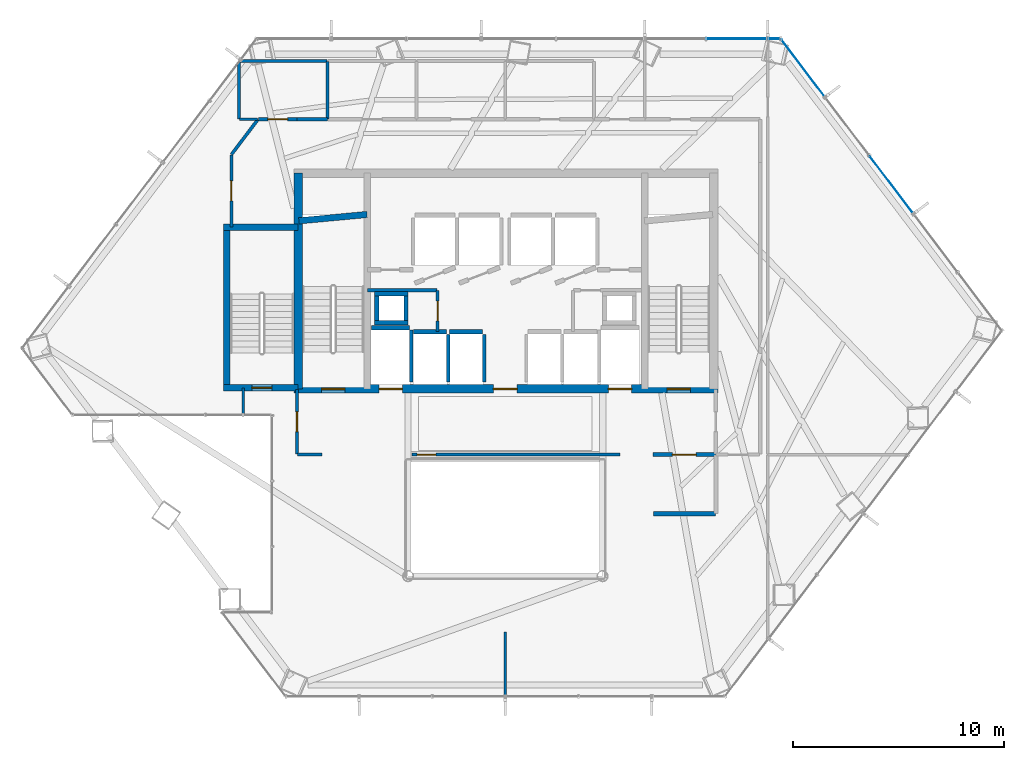
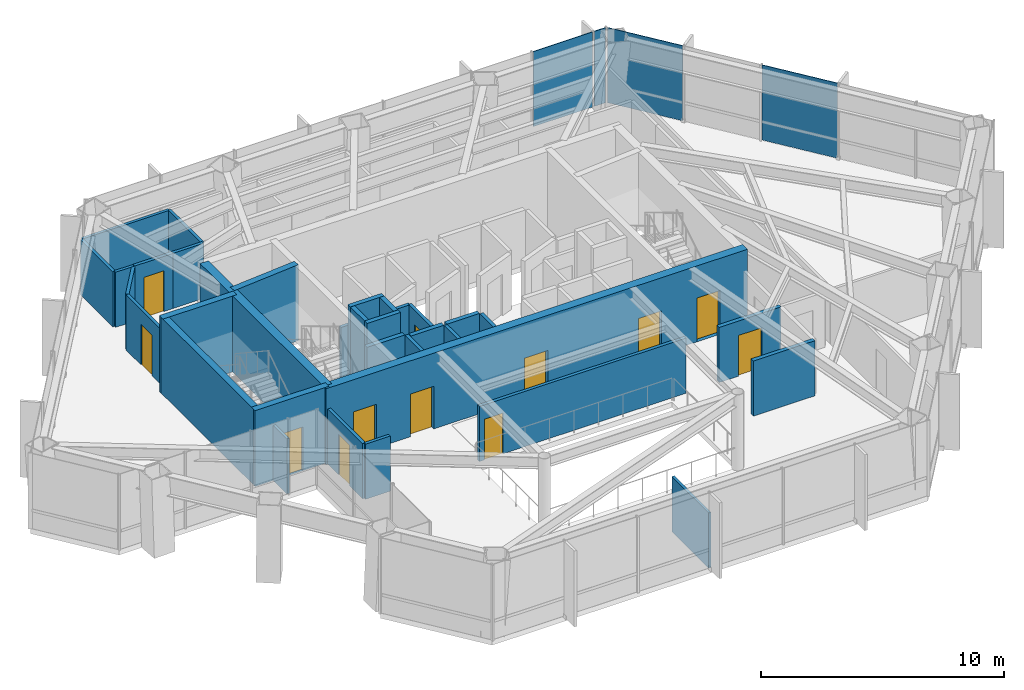
# One storey, part 21 of 24: 33 walls, 12 doors, 4 plates, 12 openings, 2 elements without a shape of their own.
"""IFC4 building model written with IfcOpenShell, lengths in metres."""

from ifc_helpers import new_model, si_unit, direction, frame, frame_2d, origin, origin_2d, place, context, subcontext, project, spatial, rectangle, extrude, material, layer, layer_set, type_object, element, fill, aggregate, save


model = new_model("IFC4")

# Units and contexts
model_context = context("Model", 3, precision=1e-05, world=origin(), true_north=direction((0.0, 1.0)))
body_context = subcontext(model_context, "Body", "Model", "MODEL_VIEW")
ifc_project = project(units=[si_unit("LENGTHUNIT", "METRE"), si_unit("AREAUNIT", "SQUARE_METRE"), si_unit("VOLUMEUNIT", "CUBIC_METRE"), si_unit("PLANEANGLEUNIT", "RADIAN"), si_unit("MASSUNIT", "GRAM", prefix="KILO")], contexts=[model_context])

# Site, building, storey
site_placement = place(None, origin())
site = spatial("IfcSite", under=ifc_project, at=site_placement, CompositionType="ELEMENT")
building_placement = place(site_placement, origin())
building = spatial("IfcBuilding", under=site, at=building_placement, Name="Zarrinselat Tower", CompositionType="ELEMENT")
storey_placement = place(building_placement, frame((0.0, 0.0, 68.340087890625)))
storey = spatial("IfcBuildingStorey", under=building, at=storey_placement, Name="L16", CompositionType="ELEMENT", Elevation=68.340087890625)

# Curtain wall, plates
ifc_material_1 = material(Name="Extruded Aluminium Alloy EN AW-6063 T6", Category="aluminium")
ifc_layer_1 = layer(ifc_material_1, 0.18505859375)
ifc_layer_set_1 = layer_set([ifc_layer_1], Name="Extruded Aluminium Alloy EN AW-6063 T6")
curtain_wall_type = type_object("IfcCurtainWallType", Name="CWS-OFF", PredefinedType="NOTDEFINED", material=ifc_layer_set_1)
curtain_wall_1_placement = place(storey_placement, origin())
curtain_wall_1 = element("IfcCurtainWall", 1, at=curtain_wall_1_placement, inside=storey, type_object=curtain_wall_type, Name="L16 Unitised Curtain Wall CW-L16-E02", PredefinedType="NOTDEFINED")
ifc_material_2 = material(Name="Double Low-E Laminated Solar Glass", Category="glass")
ifc_layer_2 = layer(ifc_material_2, 0.031982421875)
ifc_layer_set_2 = layer_set([ifc_layer_2], Name="Double Low-E Laminated Solar Glass")
plate_type = type_object("IfcPlateType", Name="PLT-CW-GL32", PredefinedType="CURTAIN_PANEL", material=ifc_layer_set_2)
plate_1_placement = place(storey_placement, frame((49.34228515625, 49.81103515625, 0.02001953125), z_axis=(0.0, 0.0, 1.0), x_axis=(1.0, 0.0, 0.0)))
plate_1 = element("IfcPlate", 2, at=plate_1_placement, type_object=plate_type, Name="CW-L16-E02 Vision Glass Panel 7", PredefinedType="CURTAIN_PANEL", context=body_context, shape_type="SweptSolid", body=[
    extrude(rectangle(XDim=2.8154296875, YDim=0.031982421875, at=origin_2d()), origin(), (0.0, 0.0, 1.0), 3.780029296875),
])
plate_2_placement = place(storey_placement, frame((51.11279296875, 49.81103515625, 0.02001953125), z_axis=(0.0, 0.0, 1.0), x_axis=(1.0, 0.0, 0.0)))
plate_2 = element("IfcPlate", 3, at=plate_2_placement, type_object=plate_type, Name="CW-L16-E02 Vision Glass Panel 8", PredefinedType="CURTAIN_PANEL", context=body_context, shape_type="SweptSolid", body=[
    extrude(rectangle(XDim=0.52587890625, YDim=0.031982421875, at=origin_2d()), origin(), (0.0, 0.0, 1.0), 3.780029296875),
])
aggregate(curtain_wall_1, [plate_1, plate_2])

curtain_wall_2_placement = place(storey_placement, origin())
curtain_wall_2 = element("IfcCurtainWall", 4, at=curtain_wall_2_placement, inside=storey, type_object=curtain_wall_type, Name="L16 Unitised Curtain Wall CW-L16-E03", PredefinedType="NOTDEFINED")
plate_3_placement = place(storey_placement, frame((52.4716796875, 48.430908203125, 0.02001953125), z_axis=(0.0, 0.0, 1.0), x_axis=(0.603859800485, -0.797090547779, 0.0)))
plate_3 = element("IfcPlate", 5, at=plate_3_placement, type_object=plate_type, Name="CW-L16-E03 Vision Glass Panel 1", PredefinedType="CURTAIN_PANEL", context=body_context, shape_type="SweptSolid", body=[
    extrude(rectangle(XDim=3.36328125, YDim=0.031982421875, at=origin_2d()), origin(), (0.0, 0.0, 1.0), 3.780029296875),
])
plate_4_placement = place(storey_placement, frame((56.654296875, 42.90966796875, 0.02001953125), z_axis=(0.0, 0.0, 1.0), x_axis=(0.603859800485, -0.797090547779, 0.0)))
plate_4 = element("IfcPlate", 6, at=plate_4_placement, type_object=plate_type, Name="CW-L16-E03 Vision Glass Panel 3", PredefinedType="CURTAIN_PANEL", context=body_context, shape_type="SweptSolid", body=[
    extrude(rectangle(XDim=3.36328125, YDim=0.031982421875, at=origin_2d()), origin(), (0.0, 0.0, 1.0), 3.780029296875),
])
aggregate(curtain_wall_2, [plate_3, plate_4])

# Wall, opening, door
ifc_material_3 = material(Name="Concrete C40/50", Category="concrete")
ifc_layer_3 = layer(ifc_material_3, 0.18994140625)
ifc_layer_set_3 = layer_set([ifc_layer_3], Name="Concrete C40/50")
wall_type_1 = type_object("IfcWallType", Name="WAL-PART-EI120", PredefinedType="PARTITIONING", material=ifc_layer_set_3)
wall_1_placement = place(storey_placement, frame((45.385009765625, 30.14990234375, 0.0), z_axis=(0.0, 0.0, 1.0), x_axis=(1.0, 0.0, 0.0)))
wall_1 = element("IfcWall", 7, at=wall_1_placement, inside=storey, type_object=wall_type_1, Name="L16 Partition Wall 7", PredefinedType="PARTITIONING", context=body_context, shape_type="SweptSolid", body=[
    extrude(rectangle(XDim=2.945068359375, YDim=0.18994140625, at=frame_2d((1.47265625, 0.0))), origin(), (0.0, 0.0, 1.0), 2.77685546875),
])
opening_1_placement = place(wall_1_placement, frame((0.91259765625, 0.0, 0.0)))
opening_1 = element("IfcOpeningElement", 8, at=opening_1_placement, cuts=wall_1, Name="Opening ID-02", PredefinedType="OPENING", context=body_context, shape_type="SweptSolid", body=[
    extrude(rectangle(XDim=1.1201171875, YDim=2.050048828125, at=frame_2d((0.56005859375, 1.02490234375))), frame((0.0, 0.10498046875, 0.0), z_axis=(0.0, -1.0, 0.0), x_axis=(1.0, 0.0, 0.0)), (0.0, 0.0, 1.0), 0.2099609375),
])
ifc_material_4 = material(Name="Steel S355J2", Category="steel")
door_type_1 = type_object("IfcDoorType", Name="DR-INT-FD60-W", OperationType="NOTDEFINED", PredefinedType="DOOR", material=ifc_material_4)
door_1_placement = place(opening_1_placement, origin())
door_1 = element("IfcDoor", 9, at=door_1_placement, inside=storey, type_object=door_type_1, Name="L16 Interior Door P7", OperationType="SINGLE_SWING_LEFT", OverallHeight=2.050048828125, OverallWidth=1.1201171875, PredefinedType="DOOR", context=body_context, shape_type="SweptSolid", body=[
    extrude(rectangle(XDim=1.1201171875, YDim=2.050048828125, at=frame_2d((0.56005859375, 1.02490234375))), frame((0.0, 0.02490234375, 0.0), z_axis=(0.0, -1.0, 0.0), x_axis=(1.0, 0.0, 0.0)), (0.0, 0.0, 1.0), 0.050048828125),
])
fill(opening_1, door_1)

# Wall
wall_2_placement = place(storey_placement, frame((45.39990234375, 27.35009765625, 0.0), z_axis=(0.0, 0.0, 1.0), x_axis=(1.0, 0.0, 0.0)))
element("IfcWall", 10, at=wall_2_placement, inside=storey, type_object=wall_type_1, Name="L16 Partition Wall 12", PredefinedType="PARTITIONING", context=body_context, shape_type="SweptSolid", body=[
    extrude(rectangle(XDim=2.93017578125, YDim=0.18994140625, at=frame_2d((1.465087890625, 0.0))), origin(), (0.0, 0.0, 1.0), 2.77685546875),
])

# Wall, opening, door
ifc_material_5 = material(Name="Fire-Rated Gypsum Board Partition", Category="gypsum")
ifc_layer_4 = layer(ifc_material_5, 0.14990234375)
ifc_layer_set_4 = layer_set([ifc_layer_4], Name="Fire-Rated Gypsum Board Partition")
wall_type_2 = type_object("IfcWallType", Name="WAL-PART-EI60", PredefinedType="PARTITIONING", material=ifc_layer_set_4)
wall_3_placement = place(storey_placement, frame((35.199951171875, 35.969970703125, 0.0), z_axis=(0.0, 0.0, 1.0), x_axis=(0.0, 1.0, 0.0)))
wall_3 = element("IfcWall", 11, at=wall_3_placement, inside=storey, type_object=wall_type_2, Name="L16 Partition Wall 1", PredefinedType="PARTITIONING", context=body_context, shape_type="SweptSolid", body=[
    extrude(rectangle(XDim=1.929931640625, YDim=0.14990234375, at=frame_2d((0.96484375, 0.0))), origin(), (0.0, 0.0, 1.0), 2.77685546875),
])
opening_2_placement = place(wall_3_placement, frame((0.4951171875, 0.0, 0.0)))
opening_2 = element("IfcOpeningElement", 12, at=opening_2_placement, cuts=wall_3, Name="Opening ID-04", PredefinedType="OPENING", context=body_context, shape_type="SweptSolid", body=[
    extrude(rectangle(XDim=0.93994140625, YDim=2.050048828125, at=frame_2d((0.469970703125, 1.02490234375))), frame((0.0, 0.0849609375, 0.0), z_axis=(0.0, -1.0, 0.0), x_axis=(1.0, 0.0, 0.0)), (0.0, 0.0, 1.0), 0.169921875),
])
ifc_material_6 = material(Name="Fire-Rated Gypsum Board Partition")
door_type_2 = type_object("IfcDoorType", Name="DR-INT-FD30-ENT", OperationType="NOTDEFINED", PredefinedType="DOOR", material=ifc_material_6)
door_2_placement = place(opening_2_placement, origin())
door_2 = element("IfcDoor", 13, at=door_2_placement, inside=storey, type_object=door_type_2, Name="L16 Interior Door P1", OperationType="SINGLE_SWING_LEFT", OverallHeight=2.050048828125, OverallWidth=0.93994140625, PredefinedType="DOOR", context=body_context, shape_type="SweptSolid", body=[
    extrude(rectangle(XDim=0.93994140625, YDim=2.050048828125, at=frame_2d((0.469970703125, 1.02490234375))), frame((0.0, 0.02490234375, 0.0), z_axis=(0.0, -1.0, 0.0), x_axis=(1.0, 0.0, 0.0)), (0.0, 0.0, 1.0), 0.050048828125),
])
fill(opening_2, door_2)

# Walls
wall_4_placement = place(storey_placement, frame((31.885009765625, 37.919921875, 0.0), z_axis=(0.0, 0.0, 1.0), x_axis=(1.0, 0.0, 0.0)))
element("IfcWall", 14, at=wall_4_placement, inside=storey, type_object=wall_type_2, Name="L16 Partition Wall 2", PredefinedType="PARTITIONING", context=body_context, shape_type="SweptSolid", body=[
    extrude(rectangle(XDim=3.294921875, YDim=0.14990234375, at=frame_2d((1.6474609375, 0.0))), origin(), (0.0, 0.0, 1.0), 2.77685546875),
])
wall_5_placement = place(storey_placement, frame((28.570068359375, 30.14990234375, 0.0), z_axis=(0.0, 0.0, 1.0), x_axis=(1.0, 0.0, 0.0)))
element("IfcWall", 15, at=wall_5_placement, inside=storey, type_object=wall_type_2, Name="L16 Partition Wall 9", PredefinedType="PARTITIONING", context=body_context, shape_type="SweptSolid", body=[
    extrude(rectangle(XDim=1.16845703125, YDim=0.14990234375, at=frame_2d((0.584228515625, 0.0))), origin(), (0.0, 0.0, 1.0), 2.77685546875),
])

# Wall, opening, door
wall_6_placement = place(storey_placement, frame((28.550048828125, 30.169921875, 0.0), z_axis=(0.0, 0.0, 1.0), x_axis=(0.0, 1.0, 0.0)))
wall_6 = element("IfcWall", 16, at=wall_6_placement, inside=storey, type_object=wall_type_2, Name="L16 Partition Wall 10", PredefinedType="PARTITIONING", context=body_context, shape_type="SweptSolid", body=[
    extrude(rectangle(XDim=3.065185546875, YDim=0.14990234375, at=frame_2d((1.53271484375, 0.0))), origin(), (0.0, 0.0, 1.0), 2.77685546875),
])
opening_3_placement = place(wall_6_placement, frame((1.0625, 0.0, 0.0)))
opening_3 = element("IfcOpeningElement", 17, at=opening_3_placement, cuts=wall_6, Name="Opening ID-04", PredefinedType="OPENING", context=body_context, shape_type="SweptSolid", body=[
    extrude(rectangle(XDim=0.93994140625, YDim=2.050048828125, at=frame_2d((0.469970703125, 1.02490234375))), frame((0.0, 0.0849609375, 0.0), z_axis=(0.0, -1.0, 0.0), x_axis=(1.0, 0.0, 0.0)), (0.0, 0.0, 1.0), 0.169921875),
])
door_3_placement = place(opening_3_placement, origin())
door_3 = element("IfcDoor", 18, at=door_3_placement, inside=storey, type_object=door_type_2, Name="L16 Interior Door P10", OperationType="SINGLE_SWING_LEFT", OverallHeight=2.050048828125, OverallWidth=0.93994140625, PredefinedType="DOOR", context=body_context, shape_type="SweptSolid", body=[
    extrude(rectangle(XDim=0.93994140625, YDim=2.050048828125, at=frame_2d((0.469970703125, 1.02490234375))), frame((0.0, 0.02490234375, 0.0), z_axis=(0.0, -1.0, 0.0), x_axis=(1.0, 0.0, 0.0)), (0.0, 0.0, 1.0), 0.050048828125),
])
fill(opening_3, door_3)

wall_7_placement = place(storey_placement, frame((33.985107421875, 30.14990234375, 0.0), z_axis=(0.0, 0.0, 1.0), x_axis=(1.0, 0.0, 0.0)))
wall_7 = element("IfcWall", 19, at=wall_7_placement, inside=storey, type_object=wall_type_2, Name="L16 Partition Wall 11", PredefinedType="PARTITIONING", context=body_context, shape_type="SweptSolid", body=[
    extrude(rectangle(XDim=9.829833984375, YDim=0.14990234375, at=frame_2d((4.9150390625, 0.0))), origin(), (0.0, 0.0, 1.0), 2.77685546875),
])
opening_4_placement = place(wall_7_placement, frame((0.25, 0.0, 0.0)))
opening_4 = element("IfcOpeningElement", 20, at=opening_4_placement, cuts=wall_7, Name="Opening ID-03", PredefinedType="OPENING", context=body_context, shape_type="SweptSolid", body=[
    extrude(rectangle(XDim=0.8798828125, YDim=2.050048828125, at=frame_2d((0.43994140625, 1.02490234375))), frame((0.0, 0.0849609375, 0.0), z_axis=(0.0, -1.0, 0.0), x_axis=(1.0, 0.0, 0.0)), (0.0, 0.0, 1.0), 0.169921875),
])
ifc_material_7 = material(Name="Steel S355J2", Category="steel")
door_type_3 = type_object("IfcDoorType", Name="DR-INT-FD60-S", OperationType="NOTDEFINED", PredefinedType="DOOR", material=ifc_material_7)
door_4_placement = place(opening_4_placement, origin())
door_4 = element("IfcDoor", 21, at=door_4_placement, inside=storey, type_object=door_type_3, Name="L16 Interior Door P11", OperationType="SINGLE_SWING_RIGHT", OverallHeight=2.050048828125, OverallWidth=0.8798828125, PredefinedType="DOOR", context=body_context, shape_type="SweptSolid", body=[
    extrude(rectangle(XDim=0.8798828125, YDim=2.050048828125, at=frame_2d((0.43994140625, 1.02490234375))), frame((0.0, 0.02490234375, 0.0), z_axis=(0.0, -1.0, 0.0), x_axis=(1.0, 0.0, 0.0)), (0.0, 0.0, 1.0), 0.050048828125),
])
fill(opening_4, door_4)

wall_8_placement = place(storey_placement, frame((26.730224609375, 46.0, 0.0), z_axis=(0.0, 0.0, 1.0), x_axis=(1.0, 0.0, 0.0)))
wall_8 = element("IfcWall", 22, at=wall_8_placement, inside=storey, type_object=wall_type_2, Name="L16 Partition Wall 14", PredefinedType="PARTITIONING", context=body_context, shape_type="SweptSolid", body=[
    extrude(rectangle(XDim=1.81982421875, YDim=0.14990234375, at=frame_2d((0.909912109375, 0.0))), origin(), (0.0, 0.0, 1.0), 2.77685546875),
])
opening_5_placement = place(wall_8_placement, frame((0.43994140625, 0.0, 0.0)))
opening_5 = element("IfcOpeningElement", 23, at=opening_5_placement, cuts=wall_8, Name="Opening ID-04", PredefinedType="OPENING", context=body_context, shape_type="SweptSolid", body=[
    extrude(rectangle(XDim=0.93994140625, YDim=2.050048828125, at=frame_2d((0.469970703125, 1.02490234375))), frame((0.0, 0.0849609375, 0.0), z_axis=(0.0, -1.0, 0.0), x_axis=(1.0, 0.0, 0.0)), (0.0, 0.0, 1.0), 0.169921875),
])
door_5_placement = place(opening_5_placement, origin())
door_5 = element("IfcDoor", 24, at=door_5_placement, inside=storey, type_object=door_type_2, Name="L16 Interior Door P14", OperationType="SINGLE_SWING_LEFT", OverallHeight=2.050048828125, OverallWidth=0.93994140625, PredefinedType="DOOR", context=body_context, shape_type="SweptSolid", body=[
    extrude(rectangle(XDim=0.93994140625, YDim=2.050048828125, at=frame_2d((0.469970703125, 1.02490234375))), frame((0.0, 0.02490234375, 0.0), z_axis=(0.0, -1.0, 0.0), x_axis=(1.0, 0.0, 0.0)), (0.0, 0.0, 1.0), 0.050048828125),
])
fill(opening_5, door_5)

# Wall
wall_9_placement = place(storey_placement, frame((28.550048828125, 46.0, 0.0), z_axis=(0.0, 0.0, 1.0), x_axis=(1.0, 0.0, 0.0)))
element("IfcWall", 25, at=wall_9_placement, inside=storey, type_object=wall_type_2, Name="L16 Partition Wall 15", PredefinedType="PARTITIONING", context=body_context, shape_type="SweptSolid", body=[
    extrude(rectangle(XDim=1.445068359375, YDim=0.14990234375, at=frame_2d((0.72265625, 0.0))), origin(), (0.0, 0.0, 1.0), 2.77685546875),
])

# Wall, opening, door
wall_10_placement = place(storey_placement, frame((25.449951171875, 40.9150390625, 0.0), z_axis=(0.0, 0.0, 1.0), x_axis=(0.0, 1.0, 0.0)))
wall_10 = element("IfcWall", 26, at=wall_10_placement, inside=storey, type_object=wall_type_2, Name="L16 Partition Wall 20", PredefinedType="PARTITIONING", context=body_context, shape_type="SweptSolid", body=[
    extrude(rectangle(XDim=3.406494140625, YDim=0.14990234375, at=frame_2d((1.703125, 0.0))), origin(), (0.0, 0.0, 1.0), 2.77685546875),
])
opening_6_placement = place(wall_10_placement, frame((1.2333984375, 0.0, 0.0)))
opening_6 = element("IfcOpeningElement", 27, at=opening_6_placement, cuts=wall_10, Name="Opening ID-04", PredefinedType="OPENING", context=body_context, shape_type="SweptSolid", body=[
    extrude(rectangle(XDim=0.93994140625, YDim=2.050048828125, at=frame_2d((0.469970703125, 1.02490234375))), frame((0.0, 0.0849609375, 0.0), z_axis=(0.0, -1.0, 0.0), x_axis=(1.0, 0.0, 0.0)), (0.0, 0.0, 1.0), 0.169921875),
])
door_6_placement = place(opening_6_placement, origin())
door_6 = element("IfcDoor", 28, at=door_6_placement, inside=storey, type_object=door_type_2, Name="L16 Interior Door P20", OperationType="SINGLE_SWING_RIGHT", OverallHeight=2.050048828125, OverallWidth=0.93994140625, PredefinedType="DOOR", context=body_context, shape_type="SweptSolid", body=[
    extrude(rectangle(XDim=0.93994140625, YDim=2.050048828125, at=frame_2d((0.469970703125, 1.02490234375))), frame((0.0, 0.02490234375, 0.0), z_axis=(0.0, -1.0, 0.0), x_axis=(1.0, 0.0, 0.0)), (0.0, 0.0, 1.0), 0.050048828125),
])
fill(opening_6, door_6)

# Walls
wall_11_placement = place(storey_placement, frame((25.449951171875, 44.336669921875, 0.0), z_axis=(0.0, 0.0, 1.0), x_axis=(0.603848590911, 0.797099039803, 0.0)))
element("IfcWall", 29, at=wall_11_placement, inside=storey, type_object=wall_type_2, Name="L16 Partition Wall 21", PredefinedType="PARTITIONING", context=body_context, shape_type="SweptSolid", body=[
    extrude(rectangle(XDim=2.06689453125, YDim=0.14990234375, at=frame_2d((1.033447265625, 0.0))), origin(), (0.0, 0.0, 1.0), 2.77685546875),
])
ifc_material_8 = material(Name="Fire-Rated Gypsum Board Partition", Category="gypsum")
ifc_layer_5 = layer(ifc_material_8, 0.1201171875)
ifc_layer_set_5 = layer_set([ifc_layer_5], Name="Fire-Rated Gypsum Board Partition")
wall_type_3 = type_object("IfcWallType", Name="WAL-PART-STD", PredefinedType="PARTITIONING", material=ifc_layer_set_5)
wall_12_placement = place(storey_placement, frame((38.39990234375, 18.721435546875, 0.0), z_axis=(0.0, 0.0, 1.0), x_axis=(0.0, 1.0, 0.0)))
element("IfcWall", 30, at=wall_12_placement, inside=storey, type_object=wall_type_3, Name="L16 Partition Wall 37", PredefinedType="PARTITIONING", context=body_context, shape_type="SweptSolid", body=[
    extrude(rectangle(XDim=3.028564453125, YDim=0.1201171875, at=frame_2d((1.51416015625, 0.0))), origin(), (0.0, 0.0, 1.0), 2.77685546875),
])
wall_13_placement = place(storey_placement, frame((26.0, 32.030029296875, 0.0), z_axis=(0.0, 0.0, 1.0), x_axis=(0.0, 1.0, 0.0)))
element("IfcWall", 31, at=wall_13_placement, inside=storey, type_object=wall_type_3, Name="L16 Partition Wall 39", PredefinedType="PARTITIONING", context=body_context, shape_type="SweptSolid", body=[
    extrude(rectangle(XDim=1.2548828125, YDim=0.1201171875, at=frame_2d((0.62744140625, 0.0))), origin(), (0.0, 0.0, 1.0), 2.77685546875),
])
ifc_material_9 = material(Name="Fire-Rated Gypsum Board Partition", Category="gypsum")
ifc_layer_6 = layer(ifc_material_9, 0.135009765625)
ifc_layer_set_6 = layer_set([ifc_layer_6], Name="Fire-Rated Gypsum Board Partition")
wall_type_4 = type_object("IfcWallType", Name="WAL-PART-WET", PredefinedType="PARTITIONING", material=ifc_layer_set_6)
wall_14_placement = place(storey_placement, frame((30.0, 46.02001953125, 0.0), z_axis=(0.0, 0.0, 1.0), x_axis=(0.0, 1.0, 0.0)))
element("IfcWall", 32, at=wall_14_placement, inside=storey, type_object=wall_type_4, Name="L16 Partition Wall 27", PredefinedType="PARTITIONING", context=body_context, shape_type="SweptSolid", body=[
    extrude(rectangle(XDim=2.7099609375, YDim=0.135009765625, at=frame_2d((1.35498046875, 0.0))), origin(), (0.0, 0.0, 1.0), 2.77685546875),
])
wall_15_placement = place(storey_placement, frame((25.820068359375, 46.0, 0.0), z_axis=(0.0, 0.0, 1.0), x_axis=(1.0, 0.0, 0.0)))
element("IfcWall", 33, at=wall_15_placement, inside=storey, type_object=wall_type_4, Name="L16 Partition Wall 28", PredefinedType="PARTITIONING", context=body_context, shape_type="SweptSolid", body=[
    extrude(rectangle(XDim=0.8701171875, YDim=0.135009765625, at=frame_2d((0.43505859375, 0.0))), origin(), (0.0, 0.0, 1.0), 2.77685546875),
])
wall_16_placement = place(storey_placement, frame((25.800048828125, 46.02001953125, 0.0), z_axis=(0.0, 0.0, 1.0), x_axis=(0.0, 1.0, 0.0)))
element("IfcWall", 34, at=wall_16_placement, inside=storey, type_object=wall_type_4, Name="L16 Partition Wall 29", PredefinedType="PARTITIONING", context=body_context, shape_type="SweptSolid", body=[
    extrude(rectangle(XDim=2.671875, YDim=0.135009765625, at=frame_2d((1.3359375, 0.0))), origin(), (0.0, 0.0, 1.0), 2.77685546875),
])
wall_17_placement = place(storey_placement, frame((25.84765625, 48.75, 0.0), z_axis=(0.0, 0.0, 1.0), x_axis=(1.0, 0.0, 0.0)))
element("IfcWall", 35, at=wall_17_placement, inside=storey, type_object=wall_type_4, Name="L16 Partition Wall 30", PredefinedType="PARTITIONING", context=body_context, shape_type="SweptSolid", body=[
    extrude(rectangle(XDim=4.13232421875, YDim=0.135009765625, at=frame_2d((2.066162109375, 0.0))), origin(), (0.0, 0.0, 1.0), 2.77685546875),
])
ifc_material_10 = material(Name="Concrete C40/50", Category="concrete")
ifc_layer_7 = layer(ifc_material_10, 0.2099609375)
ifc_layer_set_7 = layer_set([ifc_layer_7], Name="Concrete C40/50")
wall_type_5 = type_object("IfcWallType", Name="WAL-SHAFT-210", PredefinedType="SOLIDWALL", material=ifc_layer_set_7)
wall_18_placement = place(storey_placement, frame((32.080078125, 36.155029296875, 0.0), z_axis=(0.0, 0.0, 1.0), x_axis=(1.0, 0.0, 0.0)))
element("IfcWall", 36, at=wall_18_placement, inside=storey, type_object=wall_type_5, Name="L16 Lift FFL1 North Shaft Wall", PredefinedType="SOLIDWALL", context=body_context, shape_type="SweptSolid", body=[
    extrude(rectangle(XDim=1.7998046875, YDim=0.2099609375, at=frame_2d((0.89990234375, 0.0))), origin(), (0.0, 0.0, 1.0), 2.7919921875),
])
wall_19_placement = place(storey_placement, frame((33.949951171875, 33.580078125, 0.0), z_axis=(0.0, 0.0, 1.0), x_axis=(0.0, 1.0, 0.0)))
element("IfcWall", 37, at=wall_19_placement, inside=storey, type_object=wall_type_5, Name="L16 Lift FFL1 E Shaft Wall", PredefinedType="SOLIDWALL", context=body_context, shape_type="SweptSolid", body=[
    extrude(rectangle(XDim=2.449951171875, YDim=0.159912109375, at=frame_2d((1.22509765625, 0.0))), origin(), (0.0, 0.0, 1.0), 2.7919921875),
])
wall_20_placement = place(storey_placement, frame((34.070068359375, 35.955078125, 0.0), z_axis=(0.0, 0.0, 1.0), x_axis=(1.0, 0.0, 0.0)))
element("IfcWall", 38, at=wall_20_placement, inside=storey, type_object=wall_type_5, Name="L16 Lift PL5 North Shaft Wall", PredefinedType="SOLIDWALL", context=body_context, shape_type="SweptSolid", body=[
    extrude(rectangle(XDim=1.559814453125, YDim=0.2099609375, at=frame_2d((0.77978515625, 0.0))), origin(), (0.0, 0.0, 1.0), 2.7919921875),
])
wall_21_placement = place(storey_placement, frame((35.699951171875, 33.580078125, 0.0), z_axis=(0.0, 0.0, 1.0), x_axis=(0.0, 1.0, 0.0)))
element("IfcWall", 39, at=wall_21_placement, inside=storey, type_object=wall_type_5, Name="L16 Lift PL5 E Shaft Wall", PredefinedType="SOLIDWALL", context=body_context, shape_type="SweptSolid", body=[
    extrude(rectangle(XDim=2.25, YDim=0.159912109375, at=frame_2d((1.125, 0.0))), origin(), (0.0, 0.0, 1.0), 2.7919921875),
])
wall_22_placement = place(storey_placement, frame((35.77001953125, 35.955078125, 0.0), z_axis=(0.0, 0.0, 1.0), x_axis=(1.0, 0.0, 0.0)))
element("IfcWall", 40, at=wall_22_placement, inside=storey, type_object=wall_type_5, Name="L16 Lift PL6 North Shaft Wall", PredefinedType="SOLIDWALL", context=body_context, shape_type="SweptSolid", body=[
    extrude(rectangle(XDim=1.56005859375, YDim=0.2099609375, at=frame_2d((0.780029296875, 0.0))), origin(), (0.0, 0.0, 1.0), 2.7919921875),
])
wall_23_placement = place(storey_placement, frame((37.39990234375, 33.580078125, 0.0), z_axis=(0.0, 0.0, 1.0), x_axis=(0.0, 1.0, 0.0)))
element("IfcWall", 41, at=wall_23_placement, inside=storey, type_object=wall_type_5, Name="L16 Lift PL6 E Shaft Wall", PredefinedType="SOLIDWALL", context=body_context, shape_type="SweptSolid", body=[
    extrude(rectangle(XDim=2.25, YDim=0.159912109375, at=frame_2d((1.125, 0.0))), origin(), (0.0, 0.0, 1.0), 2.7919921875),
])
for number, where, z_axis, x_axis, name in (
    (42, (32.2099609375, 36.375, 0.0), (0.0, 0.0, 1.0), (1.0, 0.0, 0.0), "L16 Core Riser RSR-W S Shaft Wall"),
    (43, (32.2099609375, 37.7451171875, 0.0), (0.0, 0.0, 1.0), (1.0, 0.0, 0.0), "L16 Core Riser RSR-W N Shaft Wall"),
):
    element("IfcWall", number, at=place(storey_placement, frame(where, z_axis=z_axis, x_axis=x_axis)), inside=storey, type_object=wall_type_5, Name=name, PredefinedType="SOLIDWALL", context=body_context, shape_type="SweptSolid", body=[
        extrude(rectangle(XDim=1.60009765625, YDim=0.2099609375, at=frame_2d((0.800048828125, 0.0))), origin(), (0.0, 0.0, 1.0), 3.81982421875),
    ])
for number, where, z_axis, x_axis, name in (
    (44, (32.31494140625, 36.485107421875, 0.0), (0.0, 0.0, 1.0), (0.0, 1.0, 0.0), "L16 Core Riser RSR-W W Shaft Wall"),
    (45, (33.705078125, 36.485107421875, 0.0), (0.0, 0.0, 1.0), (0.0, 1.0, 0.0), "L16 Core Riser RSR-W E Shaft Wall"),
):
    element("IfcWall", number, at=place(storey_placement, frame(where, z_axis=z_axis, x_axis=x_axis)), inside=storey, type_object=wall_type_5, Name=name, PredefinedType="SOLIDWALL", context=body_context, shape_type="SweptSolid", body=[
        extrude(rectangle(XDim=1.14990234375, YDim=0.2099609375, at=frame_2d((0.574951171875, 0.0))), origin(), (0.0, 0.0, 1.0), 3.81982421875),
    ])
ifc_material_11 = material(Name="Concrete C40/50", Category="concrete")
ifc_layer_8 = layer(ifc_material_11, 0.300048828125)
ifc_layer_set_8 = layer_set([ifc_layer_8], Name="Concrete C40/50")
wall_type_6 = type_object("IfcWallType", Name="WAL-SHEAR-300", PredefinedType="SHEAR", material=ifc_layer_set_8)
wall_24_placement = place(storey_placement, frame((28.639892578125, 41.199951171875, 0.0), z_axis=(0.0, 0.0, 1.0), x_axis=(0.995687118776, 0.092774789157, 0.0)))
element("IfcWall", 46, at=wall_24_placement, inside=storey, type_object=wall_type_6, Name="L16 Stair 1 North Shaft Wall", PredefinedType="SHEAR", context=body_context, shape_type="SweptSolid", body=[
    extrude(rectangle(XDim=3.234130859375, YDim=0.300048828125, at=frame_2d((1.6171875, 0.0))), origin(), (0.0, 0.0, 1.0), 3.81982421875),
])
wall_25_placement = place(storey_placement, frame((25.080078125, 40.89990234375, 0.0), z_axis=(0.0, 0.0, 1.0), x_axis=(1.0, 0.0, 0.0)))
element("IfcWall", 47, at=wall_25_placement, inside=storey, type_object=wall_type_6, Name="L16 Stair 3 North Shear Wall", PredefinedType="SHEAR", context=body_context, shape_type="SweptSolid", body=[
    extrude(rectangle(XDim=3.52001953125, YDim=0.300048828125, at=frame_2d((1.760009765625, 0.0))), origin(), (0.0, 0.0, 1.0), 3.81982421875),
])

# Wall, opening, door
wall_26_placement = place(storey_placement, frame((25.080078125, 33.300048828125, 0.0), z_axis=(0.0, 0.0, 1.0), x_axis=(1.0, 0.0, 0.0)))
wall_26 = element("IfcWall", 48, at=wall_26_placement, inside=storey, type_object=wall_type_6, Name="L16 Stair 3 South Shear Wall", PredefinedType="SHEAR", context=body_context, shape_type="SweptSolid", body=[
    extrude(rectangle(XDim=3.52001953125, YDim=0.300048828125, at=frame_2d((1.760009765625, 0.0))), origin(), (0.0, 0.0, 1.0), 3.81982421875),
])
opening_7_placement = place(wall_26_placement, frame((1.3349609375, 0.0, 0.0)))
opening_7 = element("IfcOpeningElement", 49, at=opening_7_placement, cuts=wall_26, Name="Opening SD-02", PredefinedType="OPENING", context=body_context, shape_type="SweptSolid", body=[
    extrude(rectangle(XDim=0.949951171875, YDim=2.199951171875, at=frame_2d((0.47509765625, 1.10009765625))), frame((0.0, 0.159912109375, 0.0), z_axis=(0.0, -1.0, 0.0), x_axis=(1.0, 0.0, 0.0)), (0.0, 0.0, 1.0), 0.320068359375),
])
ifc_material_12 = material(Name="Steel S355J2", Category="steel")
door_type_4 = type_object("IfcDoorType", Name="DR-STAIR-1050", OperationType="NOTDEFINED", PredefinedType="DOOR", material=ifc_material_12)
door_7_placement = place(opening_7_placement, origin())
door_7 = element("IfcDoor", 50, at=door_7_placement, inside=storey, type_object=door_type_4, Name="L16 Exit Stair 3 Fire Door", OperationType="SINGLE_SWING_LEFT", OverallHeight=2.199951171875, OverallWidth=0.949951171875, PredefinedType="DOOR", context=body_context, shape_type="SweptSolid", body=[
    extrude(rectangle(XDim=0.949951171875, YDim=2.199951171875, at=frame_2d((0.47509765625, 1.10009765625))), frame((0.0, 0.02490234375, 0.0), z_axis=(0.0, -1.0, 0.0), x_axis=(1.0, 0.0, 0.0)), (0.0, 0.0, 1.0), 0.050048828125),
])
fill(opening_7, door_7)

# Wall
wall_27_placement = place(storey_placement, frame((25.22998046875, 33.300048828125, 0.0), z_axis=(0.0, 0.0, 1.0), x_axis=(0.0, 1.0, 0.0)))
element("IfcWall", 51, at=wall_27_placement, inside=storey, type_object=wall_type_6, Name="L16 Stair 3 West Shear Wall", PredefinedType="SHEAR", context=body_context, shape_type="SweptSolid", body=[
    extrude(rectangle(XDim=7.599853515625, YDim=0.300048828125, at=frame_2d((3.7998046875, 0.0))), origin(), (0.0, 0.0, 1.0), 3.81982421875),
])

# Wall, openings, doors
ifc_material_13 = material(Name="Concrete C60/75", Category="concrete")
ifc_layer_9 = layer(ifc_material_13, 0.39990234375)
ifc_layer_set_9 = layer_set([ifc_layer_9], Name="Concrete C60/75")
wall_type_7 = type_object("IfcWallType", Name="WAL-SHEAR-400", PredefinedType="SHEAR", material=ifc_layer_set_9)
wall_28_placement = place(storey_placement, frame((28.39990234375, 33.25, 0.0), z_axis=(0.0, 0.0, 1.0), x_axis=(1.0, 0.0, 0.0)))
wall_28 = element("IfcWall", 52, at=wall_28_placement, inside=storey, type_object=wall_type_7, Name="L16 South Core Shear Wall", PredefinedType="SHEAR", context=body_context, shape_type="SweptSolid", body=[
    extrude(rectangle(XDim=20.06005859375, YDim=0.39990234375, at=frame_2d((10.030029296875, 0.0))), origin(), (0.0, 0.0, 1.0), 3.81982421875),
])
opening_8_placement = place(wall_28_placement, frame((4.030029296875, 0.0, 0.0)))
opening_8 = element("IfcOpeningElement", 53, at=opening_8_placement, cuts=wall_28, Name="Opening LD-FFL1", PredefinedType="OPENING", context=body_context, shape_type="SweptSolid", body=[
    extrude(rectangle(XDim=1.10009765625, YDim=2.14990234375, at=frame_2d((0.550048828125, 1.074951171875))), frame((0.0, 0.2099609375, 0.0), z_axis=(0.0, -1.0, 0.0), x_axis=(1.0, 0.0, 0.0)), (0.0, 0.0, 1.0), 0.419921875),
])
opening_9_placement = place(wall_28_placement, frame((14.8701171875, 0.0, 0.0)))
opening_9 = element("IfcOpeningElement", 54, at=opening_9_placement, cuts=wall_28, Name="Opening LD-FFL2", PredefinedType="OPENING", context=body_context, shape_type="SweptSolid", body=[
    extrude(rectangle(XDim=1.10009765625, YDim=2.14990234375, at=frame_2d((0.550048828125, 1.074951171875))), frame((0.0, 0.2099609375, 0.0), z_axis=(0.0, -1.0, 0.0), x_axis=(1.0, 0.0, 0.0)), (0.0, 0.0, 1.0), 0.419921875),
])
opening_10_placement = place(wall_28_placement, frame((1.31005859375, 0.0, 0.0)))
opening_10 = element("IfcOpeningElement", 55, at=opening_10_placement, cuts=wall_28, Name="Opening SD-01", PredefinedType="OPENING", context=body_context, shape_type="SweptSolid", body=[
    extrude(rectangle(XDim=1.10009765625, YDim=2.199951171875, at=frame_2d((0.550048828125, 1.10009765625))), frame((0.0, 0.2099609375, 0.0), z_axis=(0.0, -1.0, 0.0), x_axis=(1.0, 0.0, 0.0)), (0.0, 0.0, 1.0), 0.419921875),
])
opening_11_placement = place(wall_28_placement, frame((9.43994140625, 0.0, 0.0)))
opening_11 = element("IfcOpeningElement", 56, at=opening_11_placement, cuts=wall_28, Name="Opening ID-02", PredefinedType="OPENING", context=body_context, shape_type="SweptSolid", body=[
    extrude(rectangle(XDim=1.1201171875, YDim=2.050048828125, at=frame_2d((0.56005859375, 1.02490234375))), frame((0.0, 0.2099609375, 0.0), z_axis=(0.0, -1.0, 0.0), x_axis=(1.0, 0.0, 0.0)), (0.0, 0.0, 1.0), 0.419921875),
])
opening_12_placement = place(wall_28_placement, frame((17.64990234375, 0.0, 0.0)))
opening_12 = element("IfcOpeningElement", 57, at=opening_12_placement, cuts=wall_28, Name="Opening SD-01", PredefinedType="OPENING", context=body_context, shape_type="SweptSolid", body=[
    extrude(rectangle(XDim=1.10009765625, YDim=2.199951171875, at=frame_2d((0.550048828125, 1.10009765625))), frame((0.0, 0.2099609375, 0.0), z_axis=(0.0, -1.0, 0.0), x_axis=(1.0, 0.0, 0.0)), (0.0, 0.0, 1.0), 0.419921875),
])
door_8_placement = place(opening_11_placement, origin())
door_8 = element("IfcDoor", 58, at=door_8_placement, inside=storey, type_object=door_type_1, Name="L16 Core Service Vestibule Fire Door", OperationType="SINGLE_SWING_RIGHT", OverallHeight=2.050048828125, OverallWidth=1.1201171875, PredefinedType="DOOR", context=body_context, shape_type="SweptSolid", body=[
    extrude(rectangle(XDim=1.1201171875, YDim=2.050048828125, at=frame_2d((0.56005859375, 1.02490234375))), frame((0.0, 0.02490234375, 0.0), z_axis=(0.0, -1.0, 0.0), x_axis=(1.0, 0.0, 0.0)), (0.0, 0.0, 1.0), 0.050048828125),
])
fill(opening_11, door_8)
ifc_material_14 = material(Name="Steel S355J2", Category="steel")
door_type_5 = type_object("IfcDoorType", Name="DR-LIFT-FF-1100", OperationType="NOTDEFINED", PredefinedType="DOOR", material=ifc_material_14)
door_9_placement = place(opening_8_placement, origin())
door_9 = element("IfcDoor", 59, at=door_9_placement, inside=storey, type_object=door_type_5, Name="L16 Lift FFL1 Sliding Landing Door", OperationType="SLIDING_TO_LEFT", OverallHeight=2.14990234375, OverallWidth=1.10009765625, PredefinedType="DOOR", context=body_context, shape_type="SweptSolid", body=[
    extrude(rectangle(XDim=1.10009765625, YDim=2.14990234375, at=frame_2d((0.550048828125, 1.074951171875))), frame((0.0, 0.02490234375, 0.0), z_axis=(0.0, -1.0, 0.0), x_axis=(1.0, 0.0, 0.0)), (0.0, 0.0, 1.0), 0.050048828125),
])
fill(opening_8, door_9)
door_10_placement = place(opening_9_placement, origin())
door_10 = element("IfcDoor", 60, at=door_10_placement, inside=storey, type_object=door_type_5, Name="L16 Lift FFL2 Sliding Landing Door", OperationType="SLIDING_TO_RIGHT", OverallHeight=2.14990234375, OverallWidth=1.10009765625, PredefinedType="DOOR", context=body_context, shape_type="SweptSolid", body=[
    extrude(rectangle(XDim=1.10009765625, YDim=2.14990234375, at=frame_2d((0.550048828125, 1.074951171875))), frame((0.0, 0.02490234375, 0.0), z_axis=(0.0, -1.0, 0.0), x_axis=(1.0, 0.0, 0.0)), (0.0, 0.0, 1.0), 0.050048828125),
])
fill(opening_9, door_10)
ifc_material_15 = material(Name="Steel S355J2", Category="steel")
door_type_6 = type_object("IfcDoorType", Name="DR-STAIR-1100", OperationType="NOTDEFINED", PredefinedType="DOOR", material=ifc_material_15)
door_11_placement = place(opening_10_placement, origin())
door_11 = element("IfcDoor", 61, at=door_11_placement, inside=storey, type_object=door_type_6, Name="L16 Exit Stair 1 Fire Door", OperationType="SINGLE_SWING_LEFT", OverallHeight=2.199951171875, OverallWidth=1.10009765625, PredefinedType="DOOR", context=body_context, shape_type="SweptSolid", body=[
    extrude(rectangle(XDim=1.10009765625, YDim=2.199951171875, at=frame_2d((0.550048828125, 1.10009765625))), frame((0.0, 0.02490234375, 0.0), z_axis=(0.0, -1.0, 0.0), x_axis=(1.0, 0.0, 0.0)), (0.0, 0.0, 1.0), 0.050048828125),
])
fill(opening_10, door_11)
door_12_placement = place(opening_12_placement, origin())
door_12 = element("IfcDoor", 62, at=door_12_placement, inside=storey, type_object=door_type_6, Name="L16 Exit Stair 2 Fire Door", OperationType="SINGLE_SWING_RIGHT", OverallHeight=2.199951171875, OverallWidth=1.10009765625, PredefinedType="DOOR", context=body_context, shape_type="SweptSolid", body=[
    extrude(rectangle(XDim=1.10009765625, YDim=2.199951171875, at=frame_2d((0.550048828125, 1.10009765625))), frame((0.0, 0.02490234375, 0.0), z_axis=(0.0, -1.0, 0.0), x_axis=(1.0, 0.0, 0.0)), (0.0, 0.0, 1.0), 0.050048828125),
])
fill(opening_12, door_12)

# Wall
wall_29_placement = place(storey_placement, frame((28.60009765625, 33.25, 0.0), z_axis=(0.0, 0.0, 1.0), x_axis=(0.0, 1.0, 0.0)))
element("IfcWall", 63, at=wall_29_placement, inside=storey, type_object=wall_type_7, Name="L16 Core Shear Wall W", PredefinedType="SHEAR", context=body_context, shape_type="SweptSolid", body=[
    extrude(rectangle(XDim=10.199951171875, YDim=0.39990234375, at=frame_2d((5.10009765625, 0.0))), origin(), (0.0, 0.0, 1.0), 3.81982421875),
])

save(model, "model.ifc")
